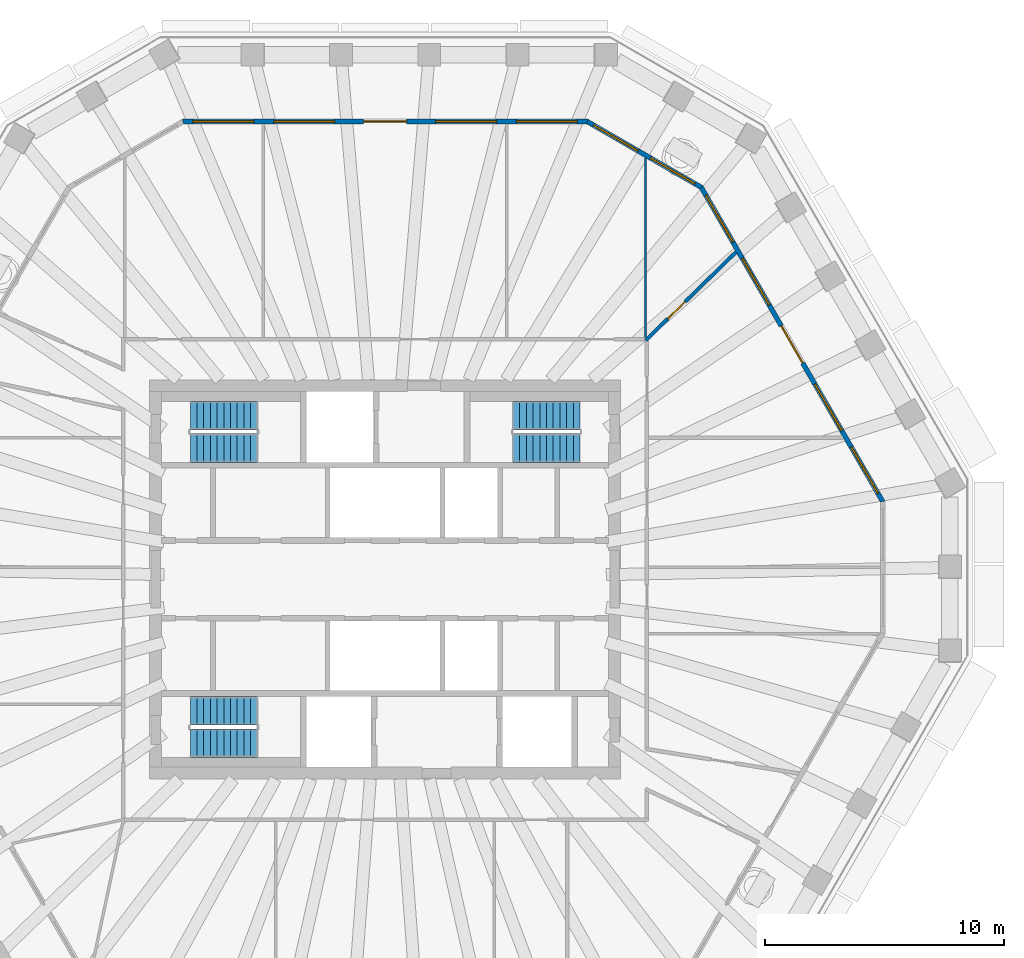
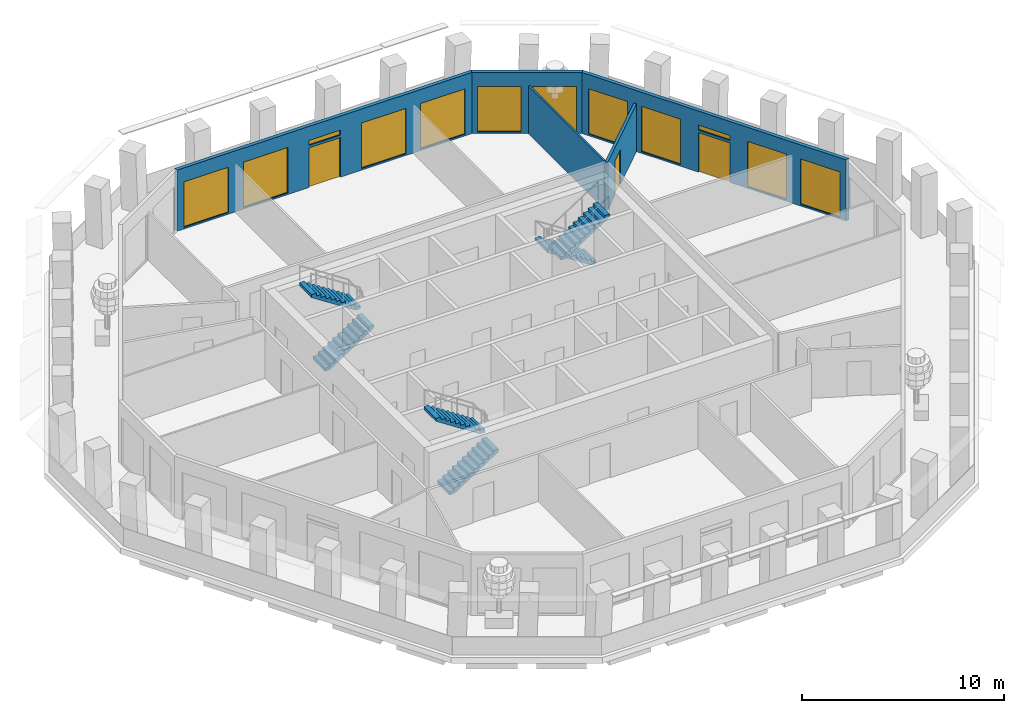
# One storey, part 7 of 11: 12 windows, 6 stair flights, 5 walls, 3 doors, 15 openings, 3 elements without a shape of their own.
"""IFC4 building model written with IfcOpenShell, lengths in metres."""

import ifcopenshell
import ifcopenshell.guid

model = None  # the IFC model being written
_history = None  # IfcOwnerHistory: only IFC2X3 demands one
_inside = {}  # id of a spatial element -> (the spatial element, [elements in it])
_under = {}  # id of a project, library or spatial element -> (it, [spatial elements below it])
_declared = {}  # id of a project -> (the project, [libraries it declares])
_typed = {}  # id of a type object -> (the type object, [elements of that type])
_made_of = {}  # id of a material, layer set ... -> (it, [elements and type objects made of it])


def new_model(schema):
    """Start an empty IFC model of exactly this schema.

    Asked for "IFC4X3", IfcOpenShell would pick the latest addendum, in which some entities
    have other attributes; the version numbers below select the first issue.
    IFC2X3 requires an IfcOwnerHistory on every rooted entity: one is made here for all.
    """
    global model, _history
    if schema == "IFC4X3":
        model = ifcopenshell.file(schema_version=(4, 3, 0, 0))
    else:
        model = ifcopenshell.file(schema=schema)
    _inside.clear()
    _under.clear()
    _declared.clear()
    _typed.clear()
    _made_of.clear()
    _history = None
    if model.schema == "IFC2X3":
        org = make("IfcOrganization", Name="unknown")
        user = make(
            "IfcPersonAndOrganization",
            ThePerson=make("IfcPerson", FamilyName="unknown"),
            TheOrganization=org,
        )
        app = make(
            "IfcApplication",
            ApplicationDeveloper=org,
            Version="unknown",
            ApplicationFullName="unknown",
            ApplicationIdentifier="unknown",
        )
        _history = make(
            "IfcOwnerHistory",
            OwningUser=user,
            OwningApplication=app,
            ChangeAction="ADDED",
            CreationDate=0,
        )
    return model


def make(cls, **values):
    """One entity of the class cls with the attributes given. An attribute that is None is left unset."""
    return model.create_entity(
        cls, **{name: value for name, value in values.items() if value is not None}
    )


def rooted(cls, **values):
    """An entity with a GlobalId (a new one), such as an element, a storey or a relation."""
    return make(cls, GlobalId=ifcopenshell.guid.new(), OwnerHistory=_history, **values)


def si_unit(unit_type, name, prefix=None):
    """IfcSIUnit, for example si_unit("LENGTHUNIT", "METRE", prefix="MILLI")."""
    return make("IfcSIUnit", UnitType=unit_type, Prefix=prefix, Name=name)


def assignment(units):
    """IfcUnitAssignment: the units of a project."""
    return None if units is None else make("IfcUnitAssignment", Units=units)


def point(xyz):
    """IfcCartesianPoint."""
    return None if xyz is None else make("IfcCartesianPoint", Coordinates=xyz)


def direction(xyz):
    """IfcDirection."""
    return None if xyz is None else make("IfcDirection", DirectionRatios=xyz)


def frame(location, z_axis=None, x_axis=None):
    """IfcAxis2Placement3D, a coordinate frame: its origin and axes. An axis left out is left unset."""
    return make(
        "IfcAxis2Placement3D",
        Location=point(location),
        Axis=direction(z_axis),
        RefDirection=direction(x_axis),
    )


def frame_2d(location, x_axis=None):
    """IfcAxis2Placement2D, a coordinate frame in the plane: its origin and x axis."""
    return make(
        "IfcAxis2Placement2D", Location=point(location), RefDirection=direction(x_axis)
    )


def origin():
    """The frame at (0, 0, 0) with its axes left unset."""
    return frame((0.0, 0.0, 0.0))


def place(relative_to, where):
    """IfcLocalPlacement: puts the frame where relative to a parent placement (None: the world)."""
    return make(
        "IfcLocalPlacement", PlacementRelTo=relative_to, RelativePlacement=where
    )


def context(
    kind, dimensions, precision=None, world=None, true_north=None, identifier=None
):
    """IfcGeometricRepresentationContext, for example the 3D "Model" context."""
    return make(
        "IfcGeometricRepresentationContext",
        ContextIdentifier=identifier,
        ContextType=kind,
        CoordinateSpaceDimension=dimensions,
        Precision=precision,
        WorldCoordinateSystem=world,
        TrueNorth=true_north,
    )


def subcontext(parent, identifier, kind, view, scale=None):
    """IfcGeometricRepresentationSubContext, for example "Body" below "Model"."""
    return make(
        "IfcGeometricRepresentationSubContext",
        ContextIdentifier=identifier,
        ContextType=kind,
        ParentContext=parent,
        TargetScale=scale,
        TargetView=view,
    )


def project(units=None, contexts=None):
    """IfcProject with its units and contexts."""
    return rooted(
        "IfcProject",
        Name="project",
        RepresentationContexts=contexts,
        UnitsInContext=assignment(units),
    )


def spatial(cls, under=None, at=None, **own):
    """A site, building, storey or space (cls), placed at a placement, below another one or the project."""
    s = rooted(cls, ObjectPlacement=at, **own)
    if under is not None:
        _under.setdefault(under.id(), (under, []))[1].append(s)
    return s


def polyline(points):
    """IfcPolyline through the points."""
    return make("IfcPolyline", Points=[point(p) for p in points])


def profile(cls, at=None, kind="AREA", **sizes):
    """A parametric profile (cls). Its sizes go by their IFC names, for example OverallWidth=200.0."""
    return make(cls, ProfileType=kind, Position=at, **sizes)


def rectangle(**sizes):
    """IfcRectangleProfileDef."""
    return profile("IfcRectangleProfileDef", **sizes)


def outline(outer, holes=None, kind="AREA"):
    """IfcArbitraryClosedProfileDef: a profile drawn as a closed curve; with holes, ...WithVoids."""
    if holes is None:
        return make("IfcArbitraryClosedProfileDef", ProfileType=kind, OuterCurve=outer)
    return make(
        "IfcArbitraryProfileDefWithVoids",
        ProfileType=kind,
        OuterCurve=outer,
        InnerCurves=holes,
    )


def extrude(swept, where, along, depth):
    """IfcExtrudedAreaSolid: the profile swept, set in the frame where, extruded along a direction by depth."""
    return make(
        "IfcExtrudedAreaSolid",
        SweptArea=swept,
        Position=where,
        ExtrudedDirection=direction(along),
        Depth=depth,
    )


def shape(context_of_items, identifier, shape_type, items):
    """IfcShapeRepresentation: the items that make up one representation, for example the "Body"."""
    return make(
        "IfcShapeRepresentation",
        ContextOfItems=context_of_items,
        RepresentationIdentifier=identifier,
        RepresentationType=shape_type,
        Items=items,
    )


def material(Name=None, Category=None):
    """IfcMaterial."""
    return make("IfcMaterial", Name=Name, Category=Category)


def layer(
    of_material, thickness, ventilated=None, Name=None, Category=None, Priority=None
):
    """IfcMaterialLayer: one layer of a wall or slab, of a material (None: an air gap)."""
    return make(
        "IfcMaterialLayer",
        Material=of_material,
        LayerThickness=thickness,
        IsVentilated=ventilated,
        Name=Name,
        Category=Category,
        Priority=Priority,
    )


def layer_set(layers, Name=None):
    """IfcMaterialLayerSet."""
    return make("IfcMaterialLayerSet", MaterialLayers=layers, LayerSetName=Name)


def made_of(thing, what):
    """Note that an element or type object is made of a material, layer set ...; save() writes the relation."""
    if what is not None:
        _made_of.setdefault(what.id(), (what, []))[1].append(thing)
    return thing


def type_object(cls, material=None, **own):
    """A type object (cls), such as IfcWallType, which elements share."""
    return made_of(rooted(cls, **own), material)


def element(
    cls,
    number,
    at=None,
    inside=None,
    cuts=None,
    type_object=None,
    material=None,
    context=None,
    identifier="Body",
    shape_type=None,
    held_by="IfcProductDefinitionShape",
    body=None,
    shapes=None,
    **own,
):
    """One element of the class cls, such as IfcWall. Its Tag is "e" and its number.

    at: its placement. inside: the storey or other place that contains it. cuts: it is an
    opening in that element (IfcRelVoidsElement). A single representation is given by context,
    identifier, shape_type and body (its items); several are given by shapes. held_by: the class
    of the entity that holds the representations. save() writes the other relations.
    """
    e = rooted(cls, Tag="e%d" % number, ObjectPlacement=at, **own)
    if body is not None:
        shapes = [shape(context, identifier, shape_type, body)]
    if shapes is not None:
        e.Representation = make(held_by, Representations=shapes)
    if inside is not None:
        _inside.setdefault(inside.id(), (inside, []))[1].append(e)
    if cuts is not None:
        rooted(
            "IfcRelVoidsElement", RelatingBuildingElement=cuts, RelatedOpeningElement=e
        )
    if type_object is not None:
        _typed.setdefault(type_object.id(), (type_object, []))[1].append(e)
    return made_of(e, material)


def fill(opening, filler):
    """IfcRelFillsElement: the door or window that sits in an opening."""
    return rooted(
        "IfcRelFillsElement",
        RelatingOpeningElement=opening,
        RelatedBuildingElement=filler,
    )


def aggregate(whole, parts):
    """IfcRelAggregates: a whole, such as a stair, and the parts it consists of."""
    return rooted("IfcRelAggregates", RelatingObject=whole, RelatedObjects=parts)


def save(model, path):
    """Write the relations noted so far, then the file.

    IfcRelAggregates (storeys below a building ...), IfcRelContainedInSpatialStructure (elements
    in a storey), IfcRelDefinesByType, IfcRelAssociatesMaterial and IfcRelDeclares: one each for
    every whole, place, type object, material and project.
    """
    for whole, parts in _under.values():
        aggregate(whole, parts)
    for where, things in _inside.values():
        rooted(
            "IfcRelContainedInSpatialStructure",
            RelatedElements=things,
            RelatingStructure=where,
        )
    for kind, things in _typed.values():
        rooted("IfcRelDefinesByType", RelatedObjects=things, RelatingType=kind)
    for what, things in _made_of.values():
        rooted("IfcRelAssociatesMaterial", RelatedObjects=things, RelatingMaterial=what)
    for by, libraries in _declared.values():
        rooted("IfcRelDeclares", RelatingContext=by, RelatedDefinitions=libraries)
    model.write(path)


model = new_model("IFC4")

# Units and contexts
model_context = context("Model", 3, precision=1e-05, world=origin(), true_north=direction((0.0, 1.0)))
body_context = subcontext(model_context, "Body", "Model", "MODEL_VIEW")
ifc_project = project(units=[si_unit("LENGTHUNIT", "METRE"), si_unit("AREAUNIT", "SQUARE_METRE"), si_unit("VOLUMEUNIT", "CUBIC_METRE"), si_unit("PLANEANGLEUNIT", "RADIAN"), si_unit("MASSUNIT", "GRAM", prefix="KILO")], contexts=[model_context])

# Site, building, storey
site_placement = place(None, origin())
site = spatial("IfcSite", under=ifc_project, at=site_placement, CompositionType="ELEMENT")
building_placement = place(site_placement, origin())
building = spatial("IfcBuilding", under=site, at=building_placement, Name="Frailejon Research Tower", CompositionType="ELEMENT")
storey_placement = place(building_placement, frame((0.0, 0.0, 279.0)))
storey = spatial("IfcBuildingStorey", under=building, at=storey_placement, Name="L61", CompositionType="ELEMENT", Elevation=279.0)

# Wall, opening, door
ifc_material_1 = material(Name="Gypsum board and masonry partition", Category="masonry")
ifc_layer_1 = layer(ifc_material_1, 0.14990234375)
ifc_layer_set_1 = layer_set([ifc_layer_1], Name="Laboratory partition, blockwork 150")
wall_type_1 = type_object("IfcWallType", Name="Laboratory partition, blockwork 150", PredefinedType="PARTITIONING", material=ifc_layer_set_1)
wall_1_placement = place(storey_placement, frame((10.896484375, 9.99755859375, 0.0), z_axis=(0.0, 0.0, 1.0), x_axis=(0.715217657255, 0.698901783337, 0.0)))
wall_1 = element("IfcWall", 1, at=wall_1_placement, inside=storey, type_object=wall_type_1, Name="T:IW:L61:012", PredefinedType="PARTITIONING", context=body_context, shape_type="SweptSolid", body=[
    extrude(rectangle(XDim=5.281982421875, YDim=0.14990234375, at=frame_2d((2.64111328125, 0.0))), origin(), (0.0, 0.0, 1.0), 2.89990234375),
])
opening_1_placement = place(wall_1_placement, frame((1.3017578125, 0.0, 0.0)))
opening_1 = element("IfcOpeningElement", 2, at=opening_1_placement, cuts=wall_1, Name="Opening D2171", PredefinedType="OPENING", context=body_context, shape_type="SweptSolid", body=[
    extrude(rectangle(XDim=1.0, YDim=2.10009765625, at=frame_2d((0.5, 1.050048828125))), frame((0.0, 0.0849609375, 0.0), z_axis=(0.0, -1.0, 0.0), x_axis=(1.0, 0.0, 0.0)), (0.0, 0.0, 1.0), 0.169921875),
])
ifc_material_2 = material(Name="Timber door leaf", Category="wood")
door_type_1 = type_object("IfcDoorType", Name="Door single leaf, timber, steel frame 1000", OperationType="NOTDEFINED", PredefinedType="DOOR", material=ifc_material_2)
door_1_placement = place(opening_1_placement, origin())
door_1 = element("IfcDoor", 3, at=door_1_placement, inside=storey, type_object=door_type_1, Name="D2171", OperationType="SINGLE_SWING_RIGHT", OverallHeight=2.10009765625, OverallWidth=1.0, PredefinedType="DOOR", context=body_context, shape_type="SweptSolid", body=[
    extrude(rectangle(XDim=1.0, YDim=2.10009765625, at=frame_2d((0.5, 1.050048828125))), frame((0.0, 0.02490234375, 0.0), z_axis=(0.0, -1.0, 0.0), x_axis=(1.0, 0.0, 0.0)), (0.0, 0.0, 1.0), 0.050048828125),
])
fill(opening_1, door_1)

# Wall
ifc_material_3 = material(Name="Gypsum board and masonry partition", Category="masonry")
ifc_layer_2 = layer(ifc_material_3, 0.10009765625)
ifc_layer_set_2 = layer_set([ifc_layer_2], Name="Partition, gypsum on steel studs 100")
wall_type_2 = type_object("IfcWallType", Name="Partition, gypsum on steel studs 100", PredefinedType="PARTITIONING", material=ifc_layer_set_2)
wall_2_placement = place(storey_placement, frame((10.892578125, 10.125, 0.0), z_axis=(0.0, 0.0, 1.0), x_axis=(0.0, 1.0, 0.0)))
element("IfcWall", 4, at=wall_2_placement, inside=storey, type_object=wall_type_2, Name="T:IW:L61:016", PredefinedType="PARTITIONING", context=body_context, shape_type="SweptSolid", body=[
    extrude(rectangle(XDim=7.5048828125, YDim=0.10009765625, at=frame_2d((3.75244140625, 0.0))), origin(), (0.0, 0.0, 1.0), 2.89990234375),
])

# Wall, openings, door, windows
ifc_material_4 = material(Name="Concrete C40/50 precast window wall panel", Category="concrete")
ifc_layer_3 = layer(ifc_material_4, 0.199951171875)
ifc_layer_set_3 = layer_set([ifc_layer_3], Name="Window wall 200")
wall_type_3 = type_object("IfcWallType", Name="Window wall 200", PredefinedType="SOLIDWALL", material=ifc_layer_set_3)
wall_3_placement = place(storey_placement, frame((20.814208984375, 3.25439453125, 0.0), z_axis=(0.0, 0.0, 1.0), x_axis=(-0.50000233518, 0.866024055563, 0.0)))
wall_3 = element("IfcWall", 5, at=wall_3_placement, inside=storey, type_object=wall_type_3, Name="Exterior wall L61", PredefinedType="SOLIDWALL", context=body_context, shape_type="SweptSolid", body=[
    extrude(outline(polyline([(-0.02685546875, -0.10009765625), (0.988525390625, -0.10009765625), (2.00390625, -0.10009765625), (3.019287109375, -0.10009765625), (4.03466796875, -0.10009765625), (5.050048828125, -0.10009765625), (6.0654296875, -0.10009765625), (7.080810546875, -0.10009765625), (8.096435546875, -0.10009765625), (9.11181640625, -0.10009765625), (10.127197265625, -0.10009765625), (11.142578125, -0.10009765625), (12.157958984375, -0.10009765625), (13.17333984375, -0.10009765625), (14.188720703125, -0.10009765625), (15.2041015625, -0.10009765625), (15.150390625, 0.10009765625), (14.14208984375, 0.10009765625), (13.134033203125, 0.10009765625), (12.125732421875, 0.10009765625), (11.117431640625, 0.10009765625), (10.109130859375, 0.10009765625), (9.10107421875, 0.10009765625), (8.0927734375, 0.10009765625), (7.08447265625, 0.10009765625), (6.076171875, 0.10009765625), (5.068115234375, 0.10009765625), (4.059814453125, 0.10009765625), (3.051513671875, 0.10009765625), (2.043212890625, 0.10009765625), (1.03515625, 0.10009765625), (0.02685546875, 0.10009765625), (-0.02685546875, -0.10009765625)])), origin(), (0.0, 0.0, 1.0), 3.699951171875),
])
opening_2_placement = place(wall_3_placement, frame((0.392578125, 0.0, 0.10009765625)))
opening_2 = element("IfcOpeningElement", 6, at=opening_2_placement, cuts=wall_3, Name="Opening W23", PredefinedType="OPENING", context=body_context, shape_type="SweptSolid", body=[
    extrude(rectangle(XDim=2.25, YDim=2.75, at=frame_2d((1.125, 1.375))), frame((0.0, 0.10986328125, 0.0), z_axis=(0.0, -1.0, 0.0), x_axis=(1.0, 0.0, 0.0)), (0.0, 0.0, 1.0), 0.219970703125),
])
opening_3_placement = place(wall_3_placement, frame((3.427978515625, 0.0, 0.10009765625)))
opening_3 = element("IfcOpeningElement", 7, at=opening_3_placement, cuts=wall_3, Name="Opening W23", PredefinedType="OPENING", context=body_context, shape_type="SweptSolid", body=[
    extrude(rectangle(XDim=2.25, YDim=2.75, at=frame_2d((1.125, 1.375))), frame((0.0, 0.10986328125, 0.0), z_axis=(0.0, -1.0, 0.0), x_axis=(1.0, 0.0, 0.0)), (0.0, 0.0, 1.0), 0.219970703125),
])
opening_4_placement = place(wall_3_placement, frame((6.688720703125, 0.0, 0.0)))
opening_4 = element("IfcOpeningElement", 8, at=opening_4_placement, cuts=wall_3, Name="Opening LG61-1", PredefinedType="OPENING", context=body_context, shape_type="SweptSolid", body=[
    extrude(rectangle(XDim=1.800048828125, YDim=2.39990234375, at=frame_2d((0.89990234375, 1.199951171875))), frame((0.0, 0.10986328125, 0.0), z_axis=(0.0, -1.0, 0.0), x_axis=(1.0, 0.0, 0.0)), (0.0, 0.0, 1.0), 0.219970703125),
])
opening_5_placement = place(wall_3_placement, frame((6.688720703125, 0.0, 2.550048828125)))
opening_5 = element("IfcOpeningElement", 9, at=opening_5_placement, cuts=wall_3, Name="Opening W24", PredefinedType="OPENING", context=body_context, shape_type="SweptSolid", body=[
    extrude(rectangle(XDim=1.800048828125, YDim=0.300048828125, at=frame_2d((0.89990234375, 0.14990234375))), frame((0.0, 0.10986328125, 0.0), z_axis=(0.0, -1.0, 0.0), x_axis=(1.0, 0.0, 0.0)), (0.0, 0.0, 1.0), 0.219970703125),
])
opening_6_placement = place(wall_3_placement, frame((9.4990234375, 0.0, 0.10009765625)))
opening_6 = element("IfcOpeningElement", 10, at=opening_6_placement, cuts=wall_3, Name="Opening W23", PredefinedType="OPENING", context=body_context, shape_type="SweptSolid", body=[
    extrude(rectangle(XDim=2.25, YDim=2.75, at=frame_2d((1.125, 1.375))), frame((0.0, 0.10986328125, 0.0), z_axis=(0.0, -1.0, 0.0), x_axis=(1.0, 0.0, 0.0)), (0.0, 0.0, 1.0), 0.219970703125),
])
opening_7_placement = place(wall_3_placement, frame((12.534423828125, 0.0, 0.10009765625)))
opening_7 = element("IfcOpeningElement", 11, at=opening_7_placement, cuts=wall_3, Name="Opening W23", PredefinedType="OPENING", context=body_context, shape_type="SweptSolid", body=[
    extrude(rectangle(XDim=2.25, YDim=2.75, at=frame_2d((1.125, 1.375))), frame((0.0, 0.10986328125, 0.0), z_axis=(0.0, -1.0, 0.0), x_axis=(1.0, 0.0, 0.0)), (0.0, 0.0, 1.0), 0.219970703125),
])
ifc_material_5 = material(Name="Aluminium framed glazed door leaf", Category="aluminium")
door_type_2 = type_object("IfcDoorType", Name="Loggia door 1800x2400", OperationType="DOUBLE_DOOR_SINGLE_SWING", PredefinedType="DOOR", material=ifc_material_5)
door_2_placement = place(opening_4_placement, origin())
door_2 = element("IfcDoor", 12, at=door_2_placement, inside=storey, type_object=door_type_2, Name="Door LG61-1", OperationType="DOUBLE_DOOR_SINGLE_SWING", OverallHeight=2.39990234375, OverallWidth=1.800048828125, PredefinedType="DOOR", context=body_context, shape_type="SweptSolid", body=[
    extrude(rectangle(XDim=1.800048828125, YDim=2.39990234375, at=frame_2d((0.89990234375, 1.199951171875))), frame((0.0, 0.02490234375, 0.0), z_axis=(0.0, -1.0, 0.0), x_axis=(1.0, 0.0, 0.0)), (0.0, 0.0, 1.0), 0.050048828125),
])
fill(opening_4, door_2)
ifc_material_6 = material(Name="Aluminium framed double glazing", Category="aluminium")
window_type_1 = type_object("IfcWindowType", Name="Window 1800x300", PartitioningType="SINGLE_PANEL", PredefinedType="WINDOW", material=ifc_material_6)
window_1_placement = place(opening_5_placement, origin())
window_1 = element("IfcWindow", 13, at=window_1_placement, inside=storey, type_object=window_type_1, Name="Window L61", OverallHeight=0.300048828125, OverallWidth=1.800048828125, PartitioningType="SINGLE_PANEL", PredefinedType="WINDOW", context=body_context, shape_type="SweptSolid", body=[
    extrude(rectangle(XDim=1.800048828125, YDim=0.300048828125, at=frame_2d((0.89990234375, 0.14990234375))), frame((0.0, 0.030029296875, 0.0), z_axis=(0.0, -1.0, 0.0), x_axis=(1.0, 0.0, 0.0)), (0.0, 0.0, 1.0), 0.06005859375),
])
fill(opening_5, window_1)
ifc_material_7 = material(Name="Aluminium framed double glazing", Category="aluminium")
window_type_2 = type_object("IfcWindowType", Name="Window 2250x2750", PartitioningType="SINGLE_PANEL", PredefinedType="WINDOW", material=ifc_material_7)
window_2_placement = place(opening_2_placement, origin())
window_2 = element("IfcWindow", 14, at=window_2_placement, inside=storey, type_object=window_type_2, Name="Window L61", OverallHeight=2.75, OverallWidth=2.25, PartitioningType="SINGLE_PANEL", PredefinedType="WINDOW", context=body_context, shape_type="SweptSolid", body=[
    extrude(rectangle(XDim=2.25, YDim=2.75, at=frame_2d((1.125, 1.375))), frame((0.0, 0.030029296875, 0.0), z_axis=(0.0, -1.0, 0.0), x_axis=(1.0, 0.0, 0.0)), (0.0, 0.0, 1.0), 0.06005859375),
])
fill(opening_2, window_2)
window_3_placement = place(opening_3_placement, origin())
window_3 = element("IfcWindow", 15, at=window_3_placement, inside=storey, type_object=window_type_2, Name="Window L61", OverallHeight=2.75, OverallWidth=2.25, PartitioningType="SINGLE_PANEL", PredefinedType="WINDOW", context=body_context, shape_type="SweptSolid", body=[
    extrude(rectangle(XDim=2.25, YDim=2.75, at=frame_2d((1.125, 1.375))), frame((0.0, 0.030029296875, 0.0), z_axis=(0.0, -1.0, 0.0), x_axis=(1.0, 0.0, 0.0)), (0.0, 0.0, 1.0), 0.06005859375),
])
fill(opening_3, window_3)
window_4_placement = place(opening_6_placement, origin())
window_4 = element("IfcWindow", 16, at=window_4_placement, inside=storey, type_object=window_type_2, Name="Window L61", OverallHeight=2.75, OverallWidth=2.25, PartitioningType="SINGLE_PANEL", PredefinedType="WINDOW", context=body_context, shape_type="SweptSolid", body=[
    extrude(rectangle(XDim=2.25, YDim=2.75, at=frame_2d((1.125, 1.375))), frame((0.0, 0.030029296875, 0.0), z_axis=(0.0, -1.0, 0.0), x_axis=(1.0, 0.0, 0.0)), (0.0, 0.0, 1.0), 0.06005859375),
])
fill(opening_6, window_4)
window_5_placement = place(opening_7_placement, origin())
window_5 = element("IfcWindow", 17, at=window_5_placement, inside=storey, type_object=window_type_2, Name="Window L61", OverallHeight=2.75, OverallWidth=2.25, PartitioningType="SINGLE_PANEL", PredefinedType="WINDOW", context=body_context, shape_type="SweptSolid", body=[
    extrude(rectangle(XDim=2.25, YDim=2.75, at=frame_2d((1.125, 1.375))), frame((0.0, 0.030029296875, 0.0), z_axis=(0.0, -1.0, 0.0), x_axis=(1.0, 0.0, 0.0)), (0.0, 0.0, 1.0), 0.06005859375),
])
fill(opening_7, window_5)

# Wall, openings, windows
wall_4_placement = place(storey_placement, frame((13.2255859375, 16.398193359375, 0.0), z_axis=(0.0, 0.0, 1.0), x_axis=(-0.866026017613, 0.499998936816, 0.0)))
wall_4 = element("IfcWall", 18, at=wall_4_placement, inside=storey, type_object=wall_type_3, Name="Exterior wall L61", PredefinedType="SOLIDWALL", context=body_context, shape_type="SweptSolid", body=[
    extrude(outline(polyline([(-0.02685546875, -0.10009765625), (1.08447265625, -0.10009765625), (2.196044921875, -0.10009765625), (3.307373046875, -0.10009765625), (4.4189453125, -0.10009765625), (5.5302734375, -0.10009765625), (5.4765625, 0.10009765625), (4.38671875, 0.10009765625), (3.296630859375, 0.10009765625), (2.206787109375, 0.10009765625), (1.11669921875, 0.10009765625), (0.02685546875, 0.10009765625), (-0.02685546875, -0.10009765625)])), origin(), (0.0, 0.0, 1.0), 3.699951171875),
])
opening_8_placement = place(wall_4_placement, frame((0.30078125, 0.0, 0.10009765625)))
opening_8 = element("IfcOpeningElement", 19, at=opening_8_placement, cuts=wall_4, Name="Opening W22", PredefinedType="OPENING", context=body_context, shape_type="SweptSolid", body=[
    extrude(rectangle(XDim=2.14990234375, YDim=2.75, at=frame_2d((1.074951171875, 1.375))), frame((0.0, 0.10986328125, 0.0), z_axis=(0.0, -1.0, 0.0), x_axis=(1.0, 0.0, 0.0)), (0.0, 0.0, 1.0), 0.219970703125),
])
opening_9_placement = place(wall_4_placement, frame((3.052490234375, 0.0, 0.10009765625)))
opening_9 = element("IfcOpeningElement", 20, at=opening_9_placement, cuts=wall_4, Name="Opening W22", PredefinedType="OPENING", context=body_context, shape_type="SweptSolid", body=[
    extrude(rectangle(XDim=2.14990234375, YDim=2.75, at=frame_2d((1.074951171875, 1.375))), frame((0.0, 0.10986328125, 0.0), z_axis=(0.0, -1.0, 0.0), x_axis=(1.0, 0.0, 0.0)), (0.0, 0.0, 1.0), 0.219970703125),
])
ifc_material_8 = material(Name="Aluminium framed double glazing", Category="aluminium")
window_type_3 = type_object("IfcWindowType", Name="Window 2150x2750", PartitioningType="SINGLE_PANEL", PredefinedType="WINDOW", material=ifc_material_8)
window_6_placement = place(opening_8_placement, origin())
window_6 = element("IfcWindow", 21, at=window_6_placement, inside=storey, type_object=window_type_3, Name="Window L61", OverallHeight=2.75, OverallWidth=2.14990234375, PartitioningType="SINGLE_PANEL", PredefinedType="WINDOW", context=body_context, shape_type="SweptSolid", body=[
    extrude(rectangle(XDim=2.14990234375, YDim=2.75, at=frame_2d((1.074951171875, 1.375))), frame((0.0, 0.030029296875, 0.0), z_axis=(0.0, -1.0, 0.0), x_axis=(1.0, 0.0, 0.0)), (0.0, 0.0, 1.0), 0.06005859375),
])
fill(opening_8, window_6)
window_7_placement = place(opening_9_placement, origin())
window_7 = element("IfcWindow", 22, at=window_7_placement, inside=storey, type_object=window_type_3, Name="Window L61", OverallHeight=2.75, OverallWidth=2.14990234375, PartitioningType="SINGLE_PANEL", PredefinedType="WINDOW", context=body_context, shape_type="SweptSolid", body=[
    extrude(rectangle(XDim=2.14990234375, YDim=2.75, at=frame_2d((1.074951171875, 1.375))), frame((0.0, 0.030029296875, 0.0), z_axis=(0.0, -1.0, 0.0), x_axis=(1.0, 0.0, 0.0)), (0.0, 0.0, 1.0), 0.06005859375),
])
fill(opening_9, window_7)

# Wall, openings, door, windows
wall_5_placement = place(storey_placement, frame((8.45947265625, 19.14990234375, 0.0), z_axis=(0.0, 0.0, 1.0), x_axis=(-1.0, 0.0, 0.0)))
wall_5 = element("IfcWall", 23, at=wall_5_placement, inside=storey, type_object=wall_type_3, Name="Exterior wall L61", PredefinedType="SOLIDWALL", context=body_context, shape_type="SweptSolid", body=[
    extrude(outline(polyline([(-0.02685546875, -0.10009765625), (1.033935546875, -0.10009765625), (2.0947265625, -0.10009765625), (3.155517578125, -0.10009765625), (4.21630859375, -0.10009765625), (5.277099609375, -0.10009765625), (6.337890625, -0.10009765625), (7.398681640625, -0.10009765625), (8.45947265625, -0.10009765625), (9.520263671875, -0.10009765625), (10.5810546875, -0.10009765625), (11.641845703125, -0.10009765625), (12.70263671875, -0.10009765625), (13.763427734375, -0.10009765625), (14.82421875, -0.10009765625), (15.885009765625, -0.10009765625), (16.94580078125, -0.10009765625), (16.89208984375, 0.10009765625), (15.837890625, 0.10009765625), (14.783935546875, 0.10009765625), (13.72998046875, 0.10009765625), (12.67578125, 0.10009765625), (11.62158203125, 0.10009765625), (10.567626953125, 0.10009765625), (9.513671875, 0.10009765625), (8.45947265625, 0.10009765625), (7.4052734375, 0.10009765625), (6.351318359375, 0.10009765625), (5.29736328125, 0.10009765625), (4.2431640625, 0.10009765625), (3.18896484375, 0.10009765625), (2.135009765625, 0.10009765625), (1.0810546875, 0.10009765625), (0.02685546875, 0.10009765625), (-0.02685546875, -0.10009765625)])), origin(), (0.0, 0.0, 1.0), 3.699951171875),
])
opening_10_placement = place(wall_5_placement, frame((0.4169921875, 0.0, 0.10009765625)))
opening_10 = element("IfcOpeningElement", 24, at=opening_10_placement, cuts=wall_5, Name="Opening W25", PredefinedType="OPENING", context=body_context, shape_type="SweptSolid", body=[
    extrude(rectangle(XDim=2.550048828125, YDim=2.75, at=frame_2d((1.27490234375, 1.375))), frame((0.0, 0.10986328125, 0.0), z_axis=(0.0, -1.0, 0.0), x_axis=(1.0, 0.0, 0.0)), (0.0, 0.0, 1.0), 0.219970703125),
])
opening_11_placement = place(wall_5_placement, frame((3.80078125, 0.0, 0.10009765625)))
opening_11 = element("IfcOpeningElement", 25, at=opening_11_placement, cuts=wall_5, Name="Opening W25", PredefinedType="OPENING", context=body_context, shape_type="SweptSolid", body=[
    extrude(rectangle(XDim=2.550048828125, YDim=2.75, at=frame_2d((1.27490234375, 1.375))), frame((0.0, 0.10986328125, 0.0), z_axis=(0.0, -1.0, 0.0), x_axis=(1.0, 0.0, 0.0)), (0.0, 0.0, 1.0), 0.219970703125),
])
opening_12_placement = place(wall_5_placement, frame((7.5595703125, 0.0, 0.0)))
opening_12 = element("IfcOpeningElement", 26, at=opening_12_placement, cuts=wall_5, Name="Opening LG61-2", PredefinedType="OPENING", context=body_context, shape_type="SweptSolid", body=[
    extrude(rectangle(XDim=1.800048828125, YDim=2.39990234375, at=frame_2d((0.89990234375, 1.199951171875))), frame((0.0, 0.10986328125, 0.0), z_axis=(0.0, -1.0, 0.0), x_axis=(1.0, 0.0, 0.0)), (0.0, 0.0, 1.0), 0.219970703125),
])
opening_13_placement = place(wall_5_placement, frame((7.5595703125, 0.0, 2.550048828125)))
opening_13 = element("IfcOpeningElement", 27, at=opening_13_placement, cuts=wall_5, Name="Opening W24", PredefinedType="OPENING", context=body_context, shape_type="SweptSolid", body=[
    extrude(rectangle(XDim=1.800048828125, YDim=0.300048828125, at=frame_2d((0.89990234375, 0.14990234375))), frame((0.0, 0.10986328125, 0.0), z_axis=(0.0, -1.0, 0.0), x_axis=(1.0, 0.0, 0.0)), (0.0, 0.0, 1.0), 0.219970703125),
])
opening_14_placement = place(wall_5_placement, frame((10.568359375, 0.0, 0.10009765625)))
opening_14 = element("IfcOpeningElement", 28, at=opening_14_placement, cuts=wall_5, Name="Opening W25", PredefinedType="OPENING", context=body_context, shape_type="SweptSolid", body=[
    extrude(rectangle(XDim=2.550048828125, YDim=2.75, at=frame_2d((1.27490234375, 1.375))), frame((0.0, 0.10986328125, 0.0), z_axis=(0.0, -1.0, 0.0), x_axis=(1.0, 0.0, 0.0)), (0.0, 0.0, 1.0), 0.219970703125),
])
opening_15_placement = place(wall_5_placement, frame((13.951904296875, 0.0, 0.10009765625)))
opening_15 = element("IfcOpeningElement", 29, at=opening_15_placement, cuts=wall_5, Name="Opening W25", PredefinedType="OPENING", context=body_context, shape_type="SweptSolid", body=[
    extrude(rectangle(XDim=2.550048828125, YDim=2.75, at=frame_2d((1.27490234375, 1.375))), frame((0.0, 0.10986328125, 0.0), z_axis=(0.0, -1.0, 0.0), x_axis=(1.0, 0.0, 0.0)), (0.0, 0.0, 1.0), 0.219970703125),
])
door_3_placement = place(opening_12_placement, origin())
door_3 = element("IfcDoor", 30, at=door_3_placement, inside=storey, type_object=door_type_2, Name="Door LG61-2", OperationType="DOUBLE_DOOR_SINGLE_SWING", OverallHeight=2.39990234375, OverallWidth=1.800048828125, PredefinedType="DOOR", context=body_context, shape_type="SweptSolid", body=[
    extrude(rectangle(XDim=1.800048828125, YDim=2.39990234375, at=frame_2d((0.89990234375, 1.199951171875))), frame((0.0, 0.02490234375, 0.0), z_axis=(0.0, -1.0, 0.0), x_axis=(1.0, 0.0, 0.0)), (0.0, 0.0, 1.0), 0.050048828125),
])
fill(opening_12, door_3)
window_8_placement = place(opening_13_placement, origin())
window_8 = element("IfcWindow", 31, at=window_8_placement, inside=storey, type_object=window_type_1, Name="Window L61", OverallHeight=0.300048828125, OverallWidth=1.800048828125, PartitioningType="SINGLE_PANEL", PredefinedType="WINDOW", context=body_context, shape_type="SweptSolid", body=[
    extrude(rectangle(XDim=1.800048828125, YDim=0.300048828125, at=frame_2d((0.89990234375, 0.14990234375))), frame((0.0, 0.030029296875, 0.0), z_axis=(0.0, -1.0, 0.0), x_axis=(1.0, 0.0, 0.0)), (0.0, 0.0, 1.0), 0.06005859375),
])
fill(opening_13, window_8)
ifc_material_9 = material(Name="Aluminium framed double glazing", Category="aluminium")
window_type_4 = type_object("IfcWindowType", Name="Window 2550x2750", PartitioningType="SINGLE_PANEL", PredefinedType="WINDOW", material=ifc_material_9)
window_9_placement = place(opening_10_placement, origin())
window_9 = element("IfcWindow", 32, at=window_9_placement, inside=storey, type_object=window_type_4, Name="Window L61", OverallHeight=2.75, OverallWidth=2.550048828125, PartitioningType="SINGLE_PANEL", PredefinedType="WINDOW", context=body_context, shape_type="SweptSolid", body=[
    extrude(rectangle(XDim=2.550048828125, YDim=2.75, at=frame_2d((1.27490234375, 1.375))), frame((0.0, 0.030029296875, 0.0), z_axis=(0.0, -1.0, 0.0), x_axis=(1.0, 0.0, 0.0)), (0.0, 0.0, 1.0), 0.06005859375),
])
fill(opening_10, window_9)
window_10_placement = place(opening_11_placement, origin())
window_10 = element("IfcWindow", 33, at=window_10_placement, inside=storey, type_object=window_type_4, Name="Window L61", OverallHeight=2.75, OverallWidth=2.550048828125, PartitioningType="SINGLE_PANEL", PredefinedType="WINDOW", context=body_context, shape_type="SweptSolid", body=[
    extrude(rectangle(XDim=2.550048828125, YDim=2.75, at=frame_2d((1.27490234375, 1.375))), frame((0.0, 0.030029296875, 0.0), z_axis=(0.0, -1.0, 0.0), x_axis=(1.0, 0.0, 0.0)), (0.0, 0.0, 1.0), 0.06005859375),
])
fill(opening_11, window_10)
window_11_placement = place(opening_14_placement, origin())
window_11 = element("IfcWindow", 34, at=window_11_placement, inside=storey, type_object=window_type_4, Name="Window L61", OverallHeight=2.75, OverallWidth=2.550048828125, PartitioningType="SINGLE_PANEL", PredefinedType="WINDOW", context=body_context, shape_type="SweptSolid", body=[
    extrude(rectangle(XDim=2.550048828125, YDim=2.75, at=frame_2d((1.27490234375, 1.375))), frame((0.0, 0.030029296875, 0.0), z_axis=(0.0, -1.0, 0.0), x_axis=(1.0, 0.0, 0.0)), (0.0, 0.0, 1.0), 0.06005859375),
])
fill(opening_14, window_11)
window_12_placement = place(opening_15_placement, origin())
window_12 = element("IfcWindow", 35, at=window_12_placement, inside=storey, type_object=window_type_4, Name="Window L61", OverallHeight=2.75, OverallWidth=2.550048828125, PartitioningType="SINGLE_PANEL", PredefinedType="WINDOW", context=body_context, shape_type="SweptSolid", body=[
    extrude(rectangle(XDim=2.550048828125, YDim=2.75, at=frame_2d((1.27490234375, 1.375))), frame((0.0, 0.030029296875, 0.0), z_axis=(0.0, -1.0, 0.0), x_axis=(1.0, 0.0, 0.0)), (0.0, 0.0, 1.0), 0.06005859375),
])
fill(opening_15, window_12)

# Stair, stair flights
ifc_material_10 = material(Name="Concrete C50/60", Category="concrete")
stair_type = type_object("IfcStairType", Name="Exit stair 22 risers", PredefinedType="HALF_TURN_STAIR", material=ifc_material_10)
stair_1_placement = place(storey_placement, origin())
stair_1 = element("IfcStair", 36, at=stair_1_placement, inside=storey, type_object=stair_type, Name="L61 Exit stair ST1", PredefinedType="HALF_TURN_STAIR")
ifc_material_11 = material(Name="Concrete C50/60", Category="concrete")
ifc_layer_4 = layer(ifc_material_11, 0.14990234375)
ifc_layer_set_4 = layer_set([ifc_layer_4], Name="Stair flight 11 risers")
stair_flight_type = type_object("IfcStairFlightType", Name="Stair flight 11 risers", PredefinedType="STRAIGHT", material=ifc_layer_set_4)
stair_flight_1_placement = place(storey_placement, frame((-8.14990234375, 5.5, 0.0), z_axis=(0.0, 0.0, 1.0), x_axis=(1.0, 0.0, 0.0)))
stair_flight_1 = element("IfcStairFlight", 37, at=stair_flight_1_placement, type_object=stair_flight_type, Name="ST1 flight 1", NumberOfRisers=11, NumberOfTreads=10, PredefinedType="STRAIGHT", RiserHeight=0.181818182, TreadLength=0.28, context=body_context, shape_type="SweptSolid", body=[
    extrude(outline(polyline([(0.0, 0.0), (0.0, 0.181884765625), (0.280029296875, 0.181884765625), (0.280029296875, 0.363525390625), (0.56005859375, 0.363525390625), (0.56005859375, 0.54541015625), (0.840087890625, 0.54541015625), (0.840087890625, 0.727294921875), (1.1201171875, 0.727294921875), (1.1201171875, 0.9091796875), (1.39990234375, 0.9091796875), (1.39990234375, 1.0908203125), (1.679931640625, 1.0908203125), (1.679931640625, 1.272705078125), (1.9599609375, 1.272705078125), (1.9599609375, 1.45458984375), (2.239990234375, 1.45458984375), (2.239990234375, 1.636474609375), (2.52001953125, 1.636474609375), (2.52001953125, 1.818115234375), (2.800048828125, 1.818115234375), (2.800048828125, 2.0), (2.800048828125, 1.639404296875), (0.275146484375, 0.0), (0.0, 0.0)])), frame((0.0, 0.60009765625, 0.0), z_axis=(0.0, -1.0, 0.0), x_axis=(1.0, 0.0, 0.0)), (0.0, 0.0, 1.0), 1.199951171875),
])
stair_flight_2_placement = place(storey_placement, frame((-5.35009765625, 6.85009765625, 2.0), z_axis=(0.0, 0.0, 1.0), x_axis=(-1.0, 0.0, 0.0)))
stair_flight_2 = element("IfcStairFlight", 38, at=stair_flight_2_placement, type_object=stair_flight_type, Name="ST1 flight 2", NumberOfRisers=11, NumberOfTreads=10, PredefinedType="STRAIGHT", RiserHeight=0.181818182, TreadLength=0.28, context=body_context, shape_type="SweptSolid", body=[
    extrude(outline(polyline([(0.0, 0.0), (0.0, 0.181884765625), (0.280029296875, 0.181884765625), (0.280029296875, 0.363525390625), (0.56005859375, 0.363525390625), (0.56005859375, 0.54541015625), (0.840087890625, 0.54541015625), (0.840087890625, 0.727294921875), (1.1201171875, 0.727294921875), (1.1201171875, 0.9091796875), (1.39990234375, 0.9091796875), (1.39990234375, 1.0908203125), (1.679931640625, 1.0908203125), (1.679931640625, 1.272705078125), (1.9599609375, 1.272705078125), (1.9599609375, 1.45458984375), (2.239990234375, 1.45458984375), (2.239990234375, 1.636474609375), (2.52001953125, 1.636474609375), (2.52001953125, 1.818115234375), (2.800048828125, 1.818115234375), (2.800048828125, 2.0), (2.800048828125, 1.639404296875), (0.275146484375, 0.0), (0.0, 0.0)])), frame((0.0, 0.60009765625, 0.0), z_axis=(0.0, -1.0, 0.0), x_axis=(1.0, 0.0, 0.0)), (0.0, 0.0, 1.0), 1.199951171875),
])
aggregate(stair_1, [stair_flight_1, stair_flight_2])

stair_2_placement = place(storey_placement, origin())
stair_2 = element("IfcStair", 39, at=stair_2_placement, inside=storey, type_object=stair_type, Name="L61 Exit stair ST2", PredefinedType="HALF_TURN_STAIR")
stair_flight_3_placement = place(storey_placement, frame((-8.14990234375, -6.85009765625, 0.0), z_axis=(0.0, 0.0, 1.0), x_axis=(1.0, 0.0, 0.0)))
stair_flight_3 = element("IfcStairFlight", 40, at=stair_flight_3_placement, type_object=stair_flight_type, Name="ST2 flight 1", NumberOfRisers=11, NumberOfTreads=10, PredefinedType="STRAIGHT", RiserHeight=0.181818182, TreadLength=0.28, context=body_context, shape_type="SweptSolid", body=[
    extrude(outline(polyline([(0.0, 0.0), (0.0, 0.181884765625), (0.280029296875, 0.181884765625), (0.280029296875, 0.363525390625), (0.56005859375, 0.363525390625), (0.56005859375, 0.54541015625), (0.840087890625, 0.54541015625), (0.840087890625, 0.727294921875), (1.1201171875, 0.727294921875), (1.1201171875, 0.9091796875), (1.39990234375, 0.9091796875), (1.39990234375, 1.0908203125), (1.679931640625, 1.0908203125), (1.679931640625, 1.272705078125), (1.9599609375, 1.272705078125), (1.9599609375, 1.45458984375), (2.239990234375, 1.45458984375), (2.239990234375, 1.636474609375), (2.52001953125, 1.636474609375), (2.52001953125, 1.818115234375), (2.800048828125, 1.818115234375), (2.800048828125, 2.0), (2.800048828125, 1.639404296875), (0.275146484375, 0.0), (0.0, 0.0)])), frame((0.0, 0.60009765625, 0.0), z_axis=(0.0, -1.0, 0.0), x_axis=(1.0, 0.0, 0.0)), (0.0, 0.0, 1.0), 1.199951171875),
])
stair_flight_4_placement = place(storey_placement, frame((-5.35009765625, -5.5, 2.0), z_axis=(0.0, 0.0, 1.0), x_axis=(-1.0, 0.0, 0.0)))
stair_flight_4 = element("IfcStairFlight", 41, at=stair_flight_4_placement, type_object=stair_flight_type, Name="ST2 flight 2", NumberOfRisers=11, NumberOfTreads=10, PredefinedType="STRAIGHT", RiserHeight=0.181818182, TreadLength=0.28, context=body_context, shape_type="SweptSolid", body=[
    extrude(outline(polyline([(0.0, 0.0), (0.0, 0.181884765625), (0.280029296875, 0.181884765625), (0.280029296875, 0.363525390625), (0.56005859375, 0.363525390625), (0.56005859375, 0.54541015625), (0.840087890625, 0.54541015625), (0.840087890625, 0.727294921875), (1.1201171875, 0.727294921875), (1.1201171875, 0.9091796875), (1.39990234375, 0.9091796875), (1.39990234375, 1.0908203125), (1.679931640625, 1.0908203125), (1.679931640625, 1.272705078125), (1.9599609375, 1.272705078125), (1.9599609375, 1.45458984375), (2.239990234375, 1.45458984375), (2.239990234375, 1.636474609375), (2.52001953125, 1.636474609375), (2.52001953125, 1.818115234375), (2.800048828125, 1.818115234375), (2.800048828125, 2.0), (2.800048828125, 1.639404296875), (0.275146484375, 0.0), (0.0, 0.0)])), frame((0.0, 0.60009765625, 0.0), z_axis=(0.0, -1.0, 0.0), x_axis=(1.0, 0.0, 0.0)), (0.0, 0.0, 1.0), 1.199951171875),
])
aggregate(stair_2, [stair_flight_3, stair_flight_4])

stair_3_placement = place(storey_placement, origin())
stair_3 = element("IfcStair", 42, at=stair_3_placement, inside=storey, type_object=stair_type, Name="L61 Exit stair ST3", PredefinedType="HALF_TURN_STAIR")
stair_flight_5_placement = place(storey_placement, frame((8.14990234375, 6.85009765625, 0.0), z_axis=(0.0, 0.0, 1.0), x_axis=(-1.0, 0.0, 0.0)))
stair_flight_5 = element("IfcStairFlight", 43, at=stair_flight_5_placement, type_object=stair_flight_type, Name="ST3 flight 1", NumberOfRisers=11, NumberOfTreads=10, PredefinedType="STRAIGHT", RiserHeight=0.181818182, TreadLength=0.28, context=body_context, shape_type="SweptSolid", body=[
    extrude(outline(polyline([(0.0, 0.0), (0.0, 0.181884765625), (0.280029296875, 0.181884765625), (0.280029296875, 0.363525390625), (0.56005859375, 0.363525390625), (0.56005859375, 0.54541015625), (0.840087890625, 0.54541015625), (0.840087890625, 0.727294921875), (1.1201171875, 0.727294921875), (1.1201171875, 0.9091796875), (1.39990234375, 0.9091796875), (1.39990234375, 1.0908203125), (1.679931640625, 1.0908203125), (1.679931640625, 1.272705078125), (1.9599609375, 1.272705078125), (1.9599609375, 1.45458984375), (2.239990234375, 1.45458984375), (2.239990234375, 1.636474609375), (2.52001953125, 1.636474609375), (2.52001953125, 1.818115234375), (2.800048828125, 1.818115234375), (2.800048828125, 2.0), (2.800048828125, 1.639404296875), (0.275146484375, 0.0), (0.0, 0.0)])), frame((0.0, 0.60009765625, 0.0), z_axis=(0.0, -1.0, 0.0), x_axis=(1.0, 0.0, 0.0)), (0.0, 0.0, 1.0), 1.199951171875),
])
stair_flight_6_placement = place(storey_placement, frame((5.35009765625, 5.5, 2.0), z_axis=(0.0, 0.0, 1.0), x_axis=(1.0, 0.0, 0.0)))
stair_flight_6 = element("IfcStairFlight", 44, at=stair_flight_6_placement, type_object=stair_flight_type, Name="ST3 flight 2", NumberOfRisers=11, NumberOfTreads=10, PredefinedType="STRAIGHT", RiserHeight=0.181818182, TreadLength=0.28, context=body_context, shape_type="SweptSolid", body=[
    extrude(outline(polyline([(0.0, 0.0), (0.0, 0.181884765625), (0.280029296875, 0.181884765625), (0.280029296875, 0.363525390625), (0.56005859375, 0.363525390625), (0.56005859375, 0.54541015625), (0.840087890625, 0.54541015625), (0.840087890625, 0.727294921875), (1.1201171875, 0.727294921875), (1.1201171875, 0.9091796875), (1.39990234375, 0.9091796875), (1.39990234375, 1.0908203125), (1.679931640625, 1.0908203125), (1.679931640625, 1.272705078125), (1.9599609375, 1.272705078125), (1.9599609375, 1.45458984375), (2.239990234375, 1.45458984375), (2.239990234375, 1.636474609375), (2.52001953125, 1.636474609375), (2.52001953125, 1.818115234375), (2.800048828125, 1.818115234375), (2.800048828125, 2.0), (2.800048828125, 1.639404296875), (0.275146484375, 0.0), (0.0, 0.0)])), frame((0.0, 0.60009765625, 0.0), z_axis=(0.0, -1.0, 0.0), x_axis=(1.0, 0.0, 0.0)), (0.0, 0.0, 1.0), 1.199951171875),
])
aggregate(stair_3, [stair_flight_5, stair_flight_6])

save(model, "model.ifc")
